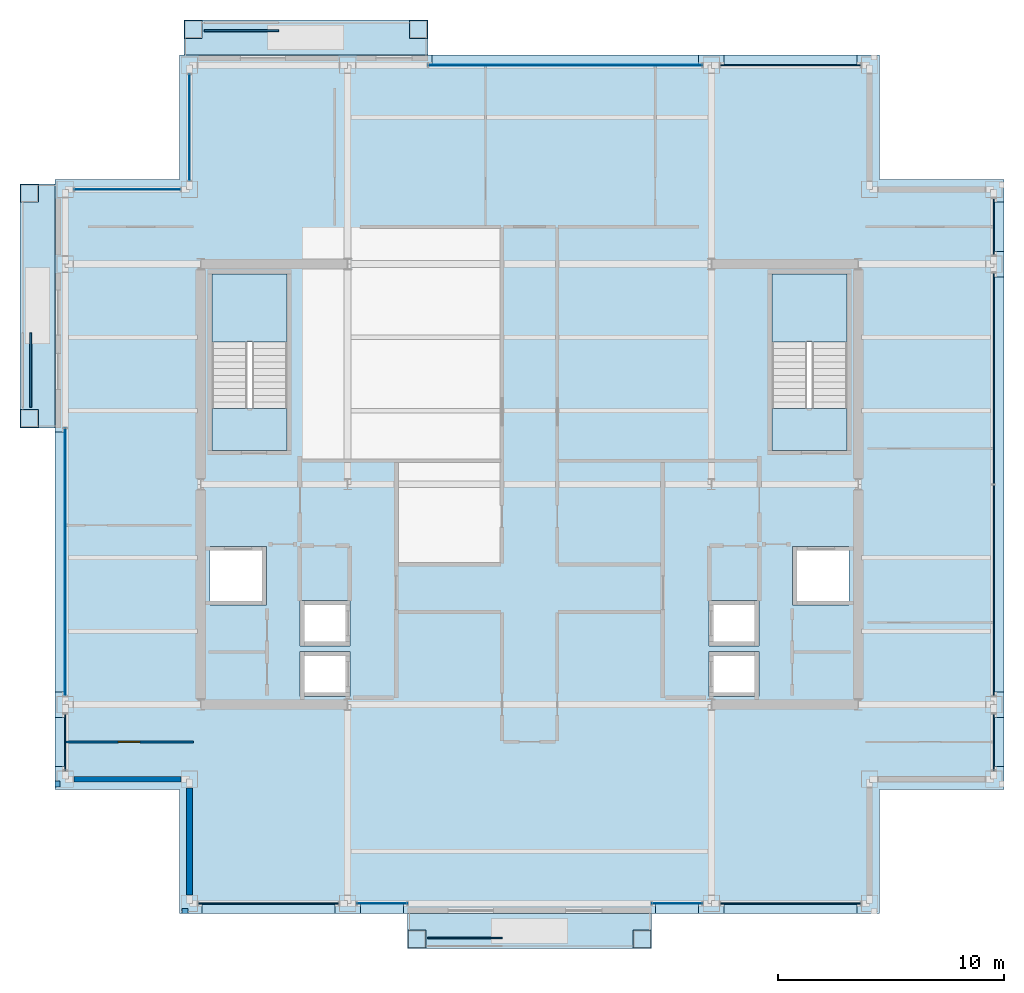
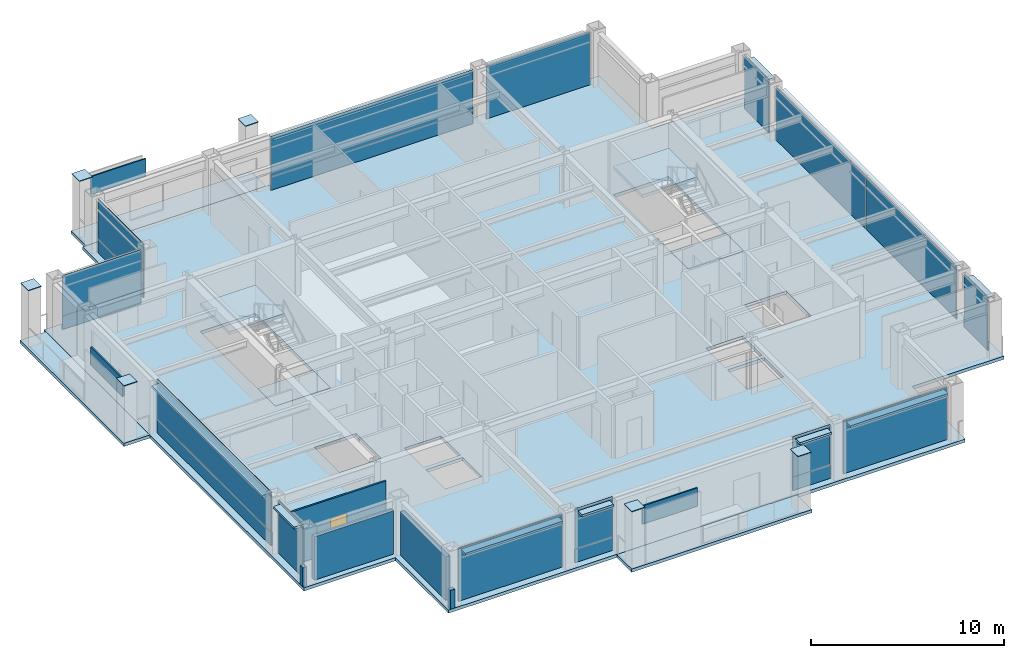
# One storey, part 22 of 28: 40 plates, 8 slabs, 5 walls, 1 door, 1 opening, 15 elements without a shape of their own.
"""IFC4 building model written with IfcOpenShell, lengths in metres."""

from ifc_helpers import new_model, si_unit, direction, frame, frame_2d, origin, origin_2d, place, context, subcontext, project, spatial, polyline, rectangle, outline, extrude, material, layer, layer_set, type_object, element, fill, aggregate, save


model = new_model("IFC4")

# Units and contexts
model_context = context("Model", 3, precision=1e-05, world=origin(), true_north=direction((0.0, 1.0)))
body_context = subcontext(model_context, "Body", "Model", "MODEL_VIEW")
ifc_project = project(units=[si_unit("LENGTHUNIT", "METRE"), si_unit("AREAUNIT", "SQUARE_METRE"), si_unit("VOLUMEUNIT", "CUBIC_METRE"), si_unit("PLANEANGLEUNIT", "RADIAN"), si_unit("MASSUNIT", "GRAM", prefix="KILO")], contexts=[model_context])

# Site, building, storey
site_placement = place(None, origin())
site = spatial("IfcSite", under=ifc_project, at=site_placement, CompositionType="ELEMENT")
building_placement = place(site_placement, origin())
building = spatial("IfcBuilding", under=site, at=building_placement, Name="Brelmoor Portico Tower", CompositionType="ELEMENT")
storey_placement = place(building_placement, frame((0.0, 0.0, 165.89990234375)))
storey = spatial("IfcBuildingStorey", under=building, at=storey_placement, Name="L43", CompositionType="ELEMENT", Elevation=165.89990234375)

# Plates
ifc_material_1 = material(Name="Steel Q355B", Category="steel")
ifc_layer_1 = layer(ifc_material_1, 0.044921875)
ifc_layer_set_1 = layer_set([ifc_layer_1], Name="Steel Q355B")
plate_type_1 = type_object("IfcPlateType", Name="PT-CAP-650", PredefinedType="SHEET", material=ifc_layer_set_1)
for number, where, z_axis, x_axis, name in (
    (1, (-4.97998046875, -20.1298828125, 3.60009765625), (0.0, 0.0, 1.0), (1.0, 0.0, 0.0), "L43 Proud Picture-Frame Pier PFJ-S1 Welded Head Cap Plate"),
    (2, (4.97998046875, -20.1298828125, 3.60009765625), (0.0, 0.0, 1.0), (1.0, 0.0, 0.0), "L43 Proud Picture-Frame Pier PFJ-S2 Welded Head Cap Plate"),
    (3, (-14.8798828125, 20.1298828125, 3.60009765625), (0.0, 0.0, 1.0), (1.0, 0.0, 0.0), "L43 Proud Picture-Frame Pier PFJ-N1 Welded Head Cap Plate"),
    (4, (-4.919921875, 20.1298828125, 3.60009765625), (0.0, 0.0, 1.0), (1.0, 0.0, 0.0), "L43 Proud Picture-Frame Pier PFJ-N2 Welded Head Cap Plate"),
    (5, (-22.1298828125, 2.919921875, 3.60009765625), (0.0, 0.0, 1.0), (0.0, 1.0, 0.0), "L43 Proud Picture-Frame Pier PFJ-W1 Welded Head Cap Plate"),
    (6, (-22.1298828125, 12.8798828125, 3.60009765625), (0.0, 0.0, 1.0), (0.0, 1.0, 0.0), "L43 Proud Picture-Frame Pier PFJ-W2 Welded Head Cap Plate"),
):
    element("IfcPlate", number, at=place(storey_placement, frame(where, z_axis=z_axis, x_axis=x_axis)), inside=storey, type_object=plate_type_1, Name=name, PredefinedType="SHEET", context=body_context, shape_type="SweptSolid", body=[
        extrude(rectangle(XDim=0.7900390625, YDim=0.7900390625, at=origin_2d()), origin(), (0.0, 0.0, 1.0), 0.0400390625),
    ])

# Curtain wall, plate
ifc_material_2 = material(Name="Anodised Aluminium Alloy 6063-T6", Category="aluminium")
ifc_layer_2 = layer(ifc_material_2, 0.179931640625)
ifc_layer_set_2 = layer_set([ifc_layer_2], Name="Anodised Aluminium Alloy 6063-T6")
curtain_wall_type_1 = type_object("IfcCurtainWallType", Name="CW-TOWER-Z3", PredefinedType="NOTDEFINED", material=ifc_layer_set_2)
curtain_wall_1_placement = place(storey_placement, origin())
curtain_wall_1 = element("IfcCurtainWall", 7, at=curtain_wall_1_placement, inside=storey, type_object=curtain_wall_type_1, Name="L43 Curtain Wall CW-L43-1L-2", PredefinedType="NOTDEFINED")
ifc_material_3 = material(Name="Double-Silver Low-E Insulated Glazing", Category="glass")
ifc_layer_3 = layer(ifc_material_3, 0.035888671875)
ifc_layer_set_3 = layer_set([ifc_layer_3], Name="Double-Silver Low-E Insulated Glazing")
plate_type_2 = type_object("IfcPlateType", Name="PT-CW-GLASS", PredefinedType="CURTAIN_PANEL", material=ifc_layer_set_3)
plate_1_placement = place(storey_placement, frame((-6.532470703125, -18.550048828125, 0.85009765625), z_axis=(0.0, 0.0, 1.0), x_axis=(1.0, 0.0, 0.0)))
plate_1 = element("IfcPlate", 8, at=plate_1_placement, type_object=plate_type_2, Name="CW-L43-1L-2 Vision Glass Panel 00", PredefinedType="CURTAIN_PANEL", context=body_context, shape_type="SweptSolid", body=[
    extrude(rectangle(XDim=2.235107421875, YDim=0.035888671875, at=origin_2d()), origin(), (0.0, 0.0, 1.0), 2.550048828125),
])

curtain_wall_2_placement = place(storey_placement, origin())
curtain_wall_2 = element("IfcCurtainWall", 9, at=curtain_wall_2_placement, inside=storey, type_object=curtain_wall_type_1, Name="L43 Curtain Wall CW-L43-1R-1", PredefinedType="NOTDEFINED")
plate_2_placement = place(storey_placement, frame((6.532470703125, -18.550048828125, 0.85009765625), z_axis=(0.0, 0.0, 1.0), x_axis=(1.0, 0.0, 0.0)))
plate_2 = element("IfcPlate", 10, at=plate_2_placement, type_object=plate_type_2, Name="CW-L43-1R-1 Vision Glass Panel 00", PredefinedType="CURTAIN_PANEL", context=body_context, shape_type="SweptSolid", body=[
    extrude(rectangle(XDim=2.235107421875, YDim=0.035888671875, at=origin_2d()), origin(), (0.0, 0.0, 1.0), 2.550048828125),
])

curtain_wall_3_placement = place(storey_placement, origin())
curtain_wall_3 = element("IfcCurtainWall", 11, at=curtain_wall_3_placement, inside=storey, type_object=curtain_wall_type_1, Name="L43 Curtain Wall CW-L43-2R-1", PredefinedType="NOTDEFINED")
plate_3_placement = place(storey_placement, frame((1.58251953125, 18.550048828125, 0.85009765625), z_axis=(0.0, 0.0, 1.0), x_axis=(1.0, 0.0, 0.0)))
plate_3 = element("IfcPlate", 12, at=plate_3_placement, type_object=plate_type_2, Name="CW-L43-2R-1 Vision Glass Panel 00", PredefinedType="CURTAIN_PANEL", context=body_context, shape_type="SweptSolid", body=[
    extrude(rectangle(XDim=12.135009765625, YDim=0.035888671875, at=origin_2d()), origin(), (0.0, 0.0, 1.0), 2.550048828125),
])

curtain_wall_4_placement = place(storey_placement, origin())
curtain_wall_4 = element("IfcCurtainWall", 13, at=curtain_wall_4_placement, inside=storey, type_object=curtain_wall_type_1, Name="L43 Curtain Wall CW-L43-3L-2", PredefinedType="NOTDEFINED")
plate_4_placement = place(storey_placement, frame((-20.550048828125, -3.4326171875, 0.85009765625), z_axis=(0.0, 0.0, 1.0), x_axis=(0.0, 1.0, 0.0)))
plate_4 = element("IfcPlate", 14, at=plate_4_placement, type_object=plate_type_2, Name="CW-L43-3L-2 Vision Glass Panel 00", PredefinedType="CURTAIN_PANEL", context=body_context, shape_type="SweptSolid", body=[
    extrude(rectangle(XDim=11.8349609375, YDim=0.035888671875, at=origin_2d()), origin(), (0.0, 0.0, 1.0), 2.550048828125),
])

ifc_layer_4 = layer(ifc_material_2, 0.179931640625)
ifc_layer_set_4 = layer_set([ifc_layer_4], Name="Anodised Aluminium Alloy 6063-T6")
curtain_wall_type_2 = type_object("IfcCurtainWallType", Name="CW-NOTCH-CHAMFER", PredefinedType="NOTDEFINED", material=ifc_layer_set_4)
curtain_wall_5_placement = place(storey_placement, origin())
curtain_wall_5 = element("IfcCurtainWall", 15, at=curtain_wall_5_placement, inside=storey, type_object=curtain_wall_type_2, Name="L43 Curtain Wall CWN-L43-NWH", PredefinedType="NOTDEFINED")
plate_5_placement = place(storey_placement, frame((-17.800048828125, 13.050048828125, 0.85009765625), z_axis=(0.0, 0.0, 1.0), x_axis=(1.0, 0.0, 0.0)))
plate_5 = element("IfcPlate", 16, at=plate_5_placement, type_object=plate_type_2, Name="CWN-L43-NWH Vision Glass Panel 00", PredefinedType="CURTAIN_PANEL", context=body_context, shape_type="SweptSolid", body=[
    extrude(rectangle(XDim=4.699951171875, YDim=0.035888671875, at=origin_2d()), origin(), (0.0, 0.0, 1.0), 2.550048828125),
])

curtain_wall_6_placement = place(storey_placement, origin())
curtain_wall_6 = element("IfcCurtainWall", 17, at=curtain_wall_6_placement, inside=storey, type_object=curtain_wall_type_2, Name="L43 Curtain Wall CWN-L43-NWV", PredefinedType="NOTDEFINED")
plate_6_placement = place(storey_placement, frame((-15.050048828125, 15.800048828125, 0.85009765625), z_axis=(0.0, 0.0, 1.0), x_axis=(0.0, 1.0, 0.0)))
plate_6 = element("IfcPlate", 18, at=plate_6_placement, type_object=plate_type_2, Name="CWN-L43-NWV Vision Glass Panel 00", PredefinedType="CURTAIN_PANEL", context=body_context, shape_type="SweptSolid", body=[
    extrude(rectangle(XDim=4.699951171875, YDim=0.035888671875, at=origin_2d()), origin(), (0.0, 0.0, 1.0), 2.550048828125),
])

ifc_layer_5 = layer(ifc_material_2, 0.179931640625)
ifc_layer_set_5 = layer_set([ifc_layer_5], Name="Anodised Aluminium Alloy 6063-T6")
curtain_wall_type_3 = type_object("IfcCurtainWallType", Name="CW-TOWER-Z3-XB", PredefinedType="NOTDEFINED", material=ifc_layer_set_5)
curtain_wall_7_placement = place(storey_placement, origin())
curtain_wall_7 = element("IfcCurtainWall", 19, at=curtain_wall_7_placement, inside=storey, type_object=curtain_wall_type_3, Name="L43 Curtain Wall CW-L43-1L-1", PredefinedType="NOTDEFINED")
ifc_material_4 = material(Name="Pale Champagne Anodised Aluminium Panel", Category="aluminium")
ifc_layer_6 = layer(ifc_material_4, 0.050048828125)
ifc_layer_set_6 = layer_set([ifc_layer_6], Name="Pale Champagne Anodised Aluminium Panel")
plate_type_3 = type_object("IfcPlateType", Name="PT-CW-SPANDREL", PredefinedType="SHEET", material=ifc_layer_set_6)
plate_7_placement = place(storey_placement, frame((-11.550048828125, -18.550048828125, 0.0), z_axis=(0.0, 0.0, 1.0), x_axis=(1.0, 0.0, 0.0)))
plate_7 = element("IfcPlate", 20, at=plate_7_placement, type_object=plate_type_3, Name="CW-L43-1L-1 Spandrel Panel 00", PredefinedType="SHEET", context=body_context, shape_type="SweptSolid", body=[
    extrude(rectangle(XDim=6.199951171875, YDim=0.050048828125, at=origin_2d()), origin(), (0.0, 0.0, 1.0), 3.33740234375),
])
aggregate(curtain_wall_7, [plate_7])

# Plate
plate_8_placement = place(storey_placement, frame((-6.532470703125, -18.550048828125, 0.0), z_axis=(0.0, 0.0, 1.0), x_axis=(1.0, 0.0, 0.0)))
plate_8 = element("IfcPlate", 21, at=plate_8_placement, type_object=plate_type_3, Name="CW-L43-1L-2 Spandrel Panel 00", PredefinedType="SHEET", context=body_context, shape_type="SweptSolid", body=[
    extrude(rectangle(XDim=2.235107421875, YDim=0.050048828125, at=origin_2d()), origin(), (0.0, 0.0, 1.0), 0.85009765625),
])

aggregate(curtain_wall_1, [plate_8, plate_1])

plate_9_placement = place(storey_placement, frame((6.532470703125, -18.550048828125, 0.0), z_axis=(0.0, 0.0, 1.0), x_axis=(1.0, 0.0, 0.0)))
plate_9 = element("IfcPlate", 22, at=plate_9_placement, type_object=plate_type_3, Name="CW-L43-1R-1 Spandrel Panel 00", PredefinedType="SHEET", context=body_context, shape_type="SweptSolid", body=[
    extrude(rectangle(XDim=2.235107421875, YDim=0.050048828125, at=origin_2d()), origin(), (0.0, 0.0, 1.0), 0.85009765625),
])

aggregate(curtain_wall_2, [plate_9, plate_2])

# Curtain wall, plate
curtain_wall_8_placement = place(storey_placement, origin())
curtain_wall_8 = element("IfcCurtainWall", 23, at=curtain_wall_8_placement, inside=storey, type_object=curtain_wall_type_3, Name="L43 Curtain Wall CW-L43-1R-2", PredefinedType="NOTDEFINED")
plate_10_placement = place(storey_placement, frame((11.550048828125, -18.550048828125, 0.0), z_axis=(0.0, 0.0, 1.0), x_axis=(1.0, 0.0, 0.0)))
plate_10 = element("IfcPlate", 24, at=plate_10_placement, type_object=plate_type_3, Name="CW-L43-1R-2 Spandrel Panel 00", PredefinedType="SHEET", context=body_context, shape_type="SweptSolid", body=[
    extrude(rectangle(XDim=6.199951171875, YDim=0.050048828125, at=origin_2d()), origin(), (0.0, 0.0, 1.0), 3.33740234375),
])
aggregate(curtain_wall_8, [plate_10])

# Plate
plate_11_placement = place(storey_placement, frame((1.58251953125, 18.550048828125, 0.0), z_axis=(0.0, 0.0, 1.0), x_axis=(1.0, 0.0, 0.0)))
plate_11 = element("IfcPlate", 25, at=plate_11_placement, type_object=plate_type_3, Name="CW-L43-2R-1 Spandrel Panel 00", PredefinedType="SHEET", context=body_context, shape_type="SweptSolid", body=[
    extrude(rectangle(XDim=12.135009765625, YDim=0.050048828125, at=origin_2d()), origin(), (0.0, 0.0, 1.0), 0.85009765625),
])

aggregate(curtain_wall_3, [plate_11, plate_3])

# Curtain wall, plate
curtain_wall_9_placement = place(storey_placement, origin())
curtain_wall_9 = element("IfcCurtainWall", 26, at=curtain_wall_9_placement, inside=storey, type_object=curtain_wall_type_3, Name="L43 Curtain Wall CW-L43-2R-2", PredefinedType="NOTDEFINED")
plate_12_placement = place(storey_placement, frame((11.550048828125, 18.550048828125, 0.0), z_axis=(0.0, 0.0, 1.0), x_axis=(1.0, 0.0, 0.0)))
plate_12 = element("IfcPlate", 27, at=plate_12_placement, type_object=plate_type_3, Name="CW-L43-2R-2 Spandrel Panel 00", PredefinedType="SHEET", context=body_context, shape_type="SweptSolid", body=[
    extrude(rectangle(XDim=6.199951171875, YDim=0.050048828125, at=origin_2d()), origin(), (0.0, 0.0, 1.0), 3.33740234375),
])
aggregate(curtain_wall_9, [plate_12])

curtain_wall_10_placement = place(storey_placement, origin())
curtain_wall_10 = element("IfcCurtainWall", 28, at=curtain_wall_10_placement, inside=storey, type_object=curtain_wall_type_3, Name="L43 Curtain Wall CW-L43-3L-1", PredefinedType="NOTDEFINED")
plate_13_placement = place(storey_placement, frame((-20.550048828125, -11.39990234375, 0.0), z_axis=(0.0, 0.0, 1.0), x_axis=(0.0, 1.0, 0.0)))
plate_13 = element("IfcPlate", 29, at=plate_13_placement, type_object=plate_type_3, Name="CW-L43-3L-1 Spandrel Panel 00", PredefinedType="SHEET", context=body_context, shape_type="SweptSolid", body=[
    extrude(rectangle(XDim=2.5, YDim=0.050048828125, at=origin_2d()), origin(), (0.0, 0.0, 1.0), 3.33740234375),
])
aggregate(curtain_wall_10, [plate_13])

# Plate
plate_14_placement = place(storey_placement, frame((-20.550048828125, -3.4326171875, 0.0), z_axis=(0.0, 0.0, 1.0), x_axis=(0.0, 1.0, 0.0)))
plate_14 = element("IfcPlate", 30, at=plate_14_placement, type_object=plate_type_3, Name="CW-L43-3L-2 Spandrel Panel 00", PredefinedType="SHEET", context=body_context, shape_type="SweptSolid", body=[
    extrude(rectangle(XDim=11.8349609375, YDim=0.050048828125, at=origin_2d()), origin(), (0.0, 0.0, 1.0), 0.85009765625),
])

aggregate(curtain_wall_4, [plate_14, plate_4])

# Curtain wall, plate
curtain_wall_11_placement = place(storey_placement, origin())
curtain_wall_11 = element("IfcCurtainWall", 31, at=curtain_wall_11_placement, inside=storey, type_object=curtain_wall_type_3, Name="L43 Curtain Wall CW-L43-04-1", PredefinedType="NOTDEFINED")
plate_15_placement = place(storey_placement, frame((20.550048828125, -11.39990234375, 0.0), z_axis=(0.0, 0.0, 1.0), x_axis=(0.0, 1.0, 0.0)))
plate_15 = element("IfcPlate", 32, at=plate_15_placement, type_object=plate_type_3, Name="CW-L43-04-1 Spandrel Panel 00", PredefinedType="SHEET", context=body_context, shape_type="SweptSolid", body=[
    extrude(rectangle(XDim=2.5, YDim=0.050048828125, at=origin_2d()), origin(), (0.0, 0.0, 1.0), 3.33740234375),
])
aggregate(curtain_wall_11, [plate_15])

# Curtain wall, plates
curtain_wall_12_placement = place(storey_placement, origin())
curtain_wall_12 = element("IfcCurtainWall", 33, at=curtain_wall_12_placement, inside=storey, type_object=curtain_wall_type_3, Name="L43 Curtain Wall CW-L43-04-2", PredefinedType="NOTDEFINED")
plate_16_placement = place(storey_placement, frame((20.550048828125, -4.6826171875, 0.0), z_axis=(0.0, 0.0, 1.0), x_axis=(0.0, 1.0, 0.0)))
plate_16 = element("IfcPlate", 34, at=plate_16_placement, type_object=plate_type_3, Name="CW-L43-04-2 Spandrel Panel 00", PredefinedType="SHEET", context=body_context, shape_type="SweptSolid", body=[
    extrude(rectangle(XDim=9.3349609375, YDim=0.050048828125, at=origin_2d()), origin(), (0.0, 0.0, 1.0), 3.33740234375),
])
plate_17_placement = place(storey_placement, frame((20.550048828125, 4.6826171875, 0.0), z_axis=(0.0, 0.0, 1.0), x_axis=(0.0, 1.0, 0.0)))
plate_17 = element("IfcPlate", 35, at=plate_17_placement, type_object=plate_type_3, Name="CW-L43-04-2 Spandrel Panel 01", PredefinedType="SHEET", context=body_context, shape_type="SweptSolid", body=[
    extrude(rectangle(XDim=9.3349609375, YDim=0.050048828125, at=origin_2d()), origin(), (0.0, 0.0, 1.0), 3.33740234375),
])
aggregate(curtain_wall_12, [plate_16, plate_17])

# Curtain wall, plate
curtain_wall_13_placement = place(storey_placement, origin())
curtain_wall_13 = element("IfcCurtainWall", 36, at=curtain_wall_13_placement, inside=storey, type_object=curtain_wall_type_3, Name="L43 Curtain Wall CW-L43-04-3", PredefinedType="NOTDEFINED")
plate_18_placement = place(storey_placement, frame((20.550048828125, 11.39990234375, 0.0), z_axis=(0.0, 0.0, 1.0), x_axis=(0.0, 1.0, 0.0)))
plate_18 = element("IfcPlate", 37, at=plate_18_placement, type_object=plate_type_3, Name="CW-L43-04-3 Spandrel Panel 00", PredefinedType="SHEET", context=body_context, shape_type="SweptSolid", body=[
    extrude(rectangle(XDim=2.5, YDim=0.050048828125, at=origin_2d()), origin(), (0.0, 0.0, 1.0), 3.33740234375),
])
aggregate(curtain_wall_13, [plate_18])

# Plate
plate_19_placement = place(storey_placement, frame((-17.800048828125, 13.050048828125, 0.0), z_axis=(0.0, 0.0, 1.0), x_axis=(1.0, 0.0, 0.0)))
plate_19 = element("IfcPlate", 38, at=plate_19_placement, type_object=plate_type_3, Name="CWN-L43-NWH Spandrel Panel 00", PredefinedType="SHEET", context=body_context, shape_type="SweptSolid", body=[
    extrude(rectangle(XDim=4.699951171875, YDim=0.050048828125, at=origin_2d()), origin(), (0.0, 0.0, 1.0), 0.85009765625),
])

aggregate(curtain_wall_5, [plate_19, plate_5])

plate_20_placement = place(storey_placement, frame((-15.050048828125, 15.800048828125, 0.0), z_axis=(0.0, 0.0, 1.0), x_axis=(0.0, 1.0, 0.0)))
plate_20 = element("IfcPlate", 39, at=plate_20_placement, type_object=plate_type_3, Name="CWN-L43-NWV Spandrel Panel 00", PredefinedType="SHEET", context=body_context, shape_type="SweptSolid", body=[
    extrude(rectangle(XDim=4.699951171875, YDim=0.050048828125, at=origin_2d()), origin(), (0.0, 0.0, 1.0), 0.85009765625),
])

aggregate(curtain_wall_6, [plate_20, plate_6])

# Plates
ifc_material_5 = material(Name="Powder-Coated Aluminium Shuttered Jalousie Louvre", Category="aluminium")
ifc_layer_7 = layer(ifc_material_5, 0.06005859375)
ifc_layer_set_7 = layer_set([ifc_layer_7], Name="Powder-Coated Aluminium Shuttered Jalousie Louvre")
plate_type_4 = type_object("IfcPlateType", Name="PT-JALOUSIE-SHUTTER", PredefinedType="SHEET", material=ifc_layer_set_7)
for number, where, z_axis, x_axis, name in (
    (40, (-2.85009765625, -20.080078125, 2.275146484375), (0.0, 0.0, 1.0), (1.0, 0.0, 0.0), "L43 Shuttered Veranda Screen S"),
    (41, (-12.75, 20.080078125, 2.275146484375), (0.0, 0.0, 1.0), (1.0, 0.0, 0.0), "L43 Shuttered Veranda Screen N"),
    (42, (-22.080078125, 5.050048828125, 2.275146484375), (0.0, 0.0, 1.0), (0.0, 1.0, 0.0), "L43 Shuttered Veranda Screen W"),
):
    element("IfcPlate", number, at=place(storey_placement, frame(where, z_axis=z_axis, x_axis=x_axis)), inside=storey, type_object=plate_type_4, Name=name, PredefinedType="SHEET", context=body_context, shape_type="SweptSolid", body=[
        extrude(rectangle(XDim=3.300048828125, YDim=0.080078125, at=origin_2d()), origin(), (0.0, 0.0, 1.0), 1.14990234375),
    ])
ifc_material_6 = material(Name="Pale Champagne Perforated Aluminium Solar Screen", Category="aluminium")
ifc_layer_8 = layer(ifc_material_6, 0.054931640625)
ifc_layer_set_8 = layer_set([ifc_layer_8], Name="Pale Champagne Perforated Aluminium Solar Screen")
plate_type_5 = type_object("IfcPlateType", Name="PT-SOLAR-LOUVRE", PredefinedType="SHEET", material=ifc_layer_set_8)
plate_21_placement = place(storey_placement, frame((-11.550048828125, -18.760009765625, 3.09033203125), z_axis=(0.0, 0.0, 1.0), x_axis=(1.0, 0.0, 0.0)))
element("IfcPlate", 43, at=plate_21_placement, inside=storey, type_object=plate_type_5, Name="CW-L43-1L-1 Caribbean Brise-Soleil Solar Screen", PredefinedType="SHEET", context=body_context, shape_type="SweptSolid", body=[
    extrude(rectangle(XDim=5.8701171875, YDim=0.4599609375, at=origin_2d()), origin(), (0.0, 0.0, 1.0), 0.139892578125),
])
for number, where, z_axis, x_axis, name in (
    (44, (-6.532470703125, -18.760009765625, 3.09033203125), (0.0, 0.0, 1.0), (1.0, 0.0, 0.0), "CW-L43-1L-2 Caribbean Brise-Soleil Solar Screen"),
    (45, (6.532470703125, -18.760009765625, 3.09033203125), (0.0, 0.0, 1.0), (1.0, 0.0, 0.0), "CW-L43-1R-1 Caribbean Brise-Soleil Solar Screen"),
):
    element("IfcPlate", number, at=place(storey_placement, frame(where, z_axis=z_axis, x_axis=x_axis)), inside=storey, type_object=plate_type_5, Name=name, PredefinedType="SHEET", context=body_context, shape_type="SweptSolid", body=[
        extrude(rectangle(XDim=1.905029296875, YDim=0.4599609375, at=origin_2d()), origin(), (0.0, 0.0, 1.0), 0.139892578125),
    ])
plate_22_placement = place(storey_placement, frame((11.550048828125, -18.760009765625, 3.09033203125), z_axis=(0.0, 0.0, 1.0), x_axis=(1.0, 0.0, 0.0)))
element("IfcPlate", 46, at=plate_22_placement, inside=storey, type_object=plate_type_5, Name="CW-L43-1R-2 Caribbean Brise-Soleil Solar Screen", PredefinedType="SHEET", context=body_context, shape_type="SweptSolid", body=[
    extrude(rectangle(XDim=5.8701171875, YDim=0.4599609375, at=origin_2d()), origin(), (0.0, 0.0, 1.0), 0.139892578125),
])
plate_23_placement = place(storey_placement, frame((1.58251953125, 18.760009765625, 3.09033203125), z_axis=(0.0, 0.0, 1.0), x_axis=(1.0, 0.0, 0.0)))
element("IfcPlate", 47, at=plate_23_placement, inside=storey, type_object=plate_type_5, Name="CW-L43-2R-1 Caribbean Brise-Soleil Solar Screen", PredefinedType="SHEET", context=body_context, shape_type="SweptSolid", body=[
    extrude(rectangle(XDim=11.804931640625, YDim=0.4599609375, at=origin_2d()), origin(), (0.0, 0.0, 1.0), 0.139892578125),
])
plate_24_placement = place(storey_placement, frame((11.550048828125, 18.760009765625, 3.09033203125), z_axis=(0.0, 0.0, 1.0), x_axis=(1.0, 0.0, 0.0)))
element("IfcPlate", 48, at=plate_24_placement, inside=storey, type_object=plate_type_5, Name="CW-L43-2R-2 Caribbean Brise-Soleil Solar Screen", PredefinedType="SHEET", context=body_context, shape_type="SweptSolid", body=[
    extrude(rectangle(XDim=5.8701171875, YDim=0.4599609375, at=origin_2d()), origin(), (0.0, 0.0, 1.0), 0.139892578125),
])
plate_25_placement = place(storey_placement, frame((-20.760009765625, -11.39990234375, 3.09033203125), z_axis=(0.0, 0.0, 1.0), x_axis=(0.0, 1.0, 0.0)))
element("IfcPlate", 49, at=plate_25_placement, inside=storey, type_object=plate_type_5, Name="CW-L43-3L-1 Caribbean Brise-Soleil Solar Screen", PredefinedType="SHEET", context=body_context, shape_type="SweptSolid", body=[
    extrude(rectangle(XDim=2.169921875, YDim=0.4599609375, at=origin_2d()), origin(), (0.0, 0.0, 1.0), 0.139892578125),
])
plate_26_placement = place(storey_placement, frame((-20.760009765625, -3.4326171875, 3.09033203125), z_axis=(0.0, 0.0, 1.0), x_axis=(0.0, 1.0, 0.0)))
element("IfcPlate", 50, at=plate_26_placement, inside=storey, type_object=plate_type_5, Name="CW-L43-3L-2 Caribbean Brise-Soleil Solar Screen", PredefinedType="SHEET", context=body_context, shape_type="SweptSolid", body=[
    extrude(rectangle(XDim=11.5048828125, YDim=0.4599609375, at=origin_2d()), origin(), (0.0, 0.0, 1.0), 0.139892578125),
])
plate_27_placement = place(storey_placement, frame((20.760009765625, -11.39990234375, 3.09033203125), z_axis=(0.0, 0.0, 1.0), x_axis=(0.0, 1.0, 0.0)))
element("IfcPlate", 51, at=plate_27_placement, inside=storey, type_object=plate_type_5, Name="CW-L43-04-1 Caribbean Brise-Soleil Solar Screen", PredefinedType="SHEET", context=body_context, shape_type="SweptSolid", body=[
    extrude(rectangle(XDim=2.169921875, YDim=0.4599609375, at=origin_2d()), origin(), (0.0, 0.0, 1.0), 0.139892578125),
])
plate_28_placement = place(storey_placement, frame((20.760009765625, 0.0, 3.09033203125), z_axis=(0.0, 0.0, 1.0), x_axis=(0.0, 1.0, 0.0)))
element("IfcPlate", 52, at=plate_28_placement, inside=storey, type_object=plate_type_5, Name="CW-L43-04-2 Caribbean Brise-Soleil Solar Screen", PredefinedType="SHEET", context=body_context, shape_type="SweptSolid", body=[
    extrude(rectangle(XDim=18.3701171875, YDim=0.4599609375, at=origin_2d()), origin(), (0.0, 0.0, 1.0), 0.139892578125),
])
plate_29_placement = place(storey_placement, frame((20.760009765625, 11.39990234375, 3.09033203125), z_axis=(0.0, 0.0, 1.0), x_axis=(0.0, 1.0, 0.0)))
element("IfcPlate", 53, at=plate_29_placement, inside=storey, type_object=plate_type_5, Name="CW-L43-04-3 Caribbean Brise-Soleil Solar Screen", PredefinedType="SHEET", context=body_context, shape_type="SweptSolid", body=[
    extrude(rectangle(XDim=2.169921875, YDim=0.4599609375, at=origin_2d()), origin(), (0.0, 0.0, 1.0), 0.139892578125),
])

# Slabs
ifc_material_7 = material(Name="Concrete C40", Category="concrete")
ifc_layer_9 = layer(ifc_material_7, 0.199951171875)
ifc_layer_set_9 = layer_set([ifc_layer_9], Name="Concrete C40")
slab_type_1 = type_object("IfcSlabType", Name="SL-BALCONY-200", PredefinedType="FLOOR", material=ifc_layer_set_9)
slab_1_placement = place(storey_placement, frame((0.0, 0.0, -0.199951171875)))
element("IfcSlab", 54, at=slab_1_placement, inside=storey, type_object=slab_type_1, Name="L43 Loggia Tree Balcony Slab S", PredefinedType="FLOOR", context=body_context, shape_type="SweptSolid", body=[
    extrude(outline(polyline([(-5.39990234375, -20.550048828125), (5.39990234375, -20.550048828125), (5.39990234375, -19.0), (-5.39990234375, -19.0), (-5.39990234375, -20.550048828125)])), origin(), (0.0, 0.0, 1.0), 0.199951171875),
])
slab_2_placement = place(storey_placement, frame((0.0, 0.0, -0.199951171875)))
element("IfcSlab", 55, at=slab_2_placement, inside=storey, type_object=slab_type_1, Name="L43 Loggia Tree Balcony Slab N", PredefinedType="FLOOR", context=body_context, shape_type="SweptSolid", body=[
    extrude(outline(polyline([(-15.300048828125, 19.0), (-4.5, 19.0), (-4.5, 20.550048828125), (-15.300048828125, 20.550048828125), (-15.300048828125, 19.0)])), origin(), (0.0, 0.0, 1.0), 0.199951171875),
])
slab_3_placement = place(storey_placement, frame((0.0, 0.0, -0.199951171875)))
element("IfcSlab", 56, at=slab_3_placement, inside=storey, type_object=slab_type_1, Name="L43 Loggia Tree Balcony Slab W", PredefinedType="FLOOR", context=body_context, shape_type="SweptSolid", body=[
    extrude(outline(polyline([(-22.550048828125, 2.5), (-21.0, 2.5), (-21.0, 13.300048828125), (-22.550048828125, 13.300048828125), (-22.550048828125, 2.5)])), origin(), (0.0, 0.0, 1.0), 0.199951171875),
])
ifc_layer_10 = layer(ifc_material_7, 0.199951171875)
ifc_layer_set_10 = layer_set([ifc_layer_10], Name="Concrete C40")
slab_type_2 = type_object("IfcSlabType", Name="SL-FLOOR-200", PredefinedType="FLOOR", material=ifc_layer_set_10)
slab_4_placement = place(storey_placement, frame((0.0, 0.0, -0.199951171875)))
element("IfcSlab", 57, at=slab_4_placement, inside=storey, type_object=slab_type_2, Name="L43 Main Structural Floor Slab", PredefinedType="FLOOR", context=body_context, shape_type="SweptSolid", body=[
    extrude(outline(polyline([(-15.5, -19.0), (15.5, -19.0), (15.5, -13.5), (21.0, -13.5), (21.0, 13.5), (15.5, 13.5), (15.5, 19.0), (-15.5, 19.0), (-15.5, 13.5), (-21.0, 13.5), (-21.0, -13.5), (-15.5, -13.5), (-15.5, -19.0)]), holes=[polyline([(-10.72998046875, 1.5), (-10.72998046875, 9.300048828125), (-14.050048828125, 9.300048828125), (-14.050048828125, 1.5), (-10.72998046875, 1.5)]), polyline([(14.050048828125, 1.5), (14.050048828125, 9.300048828125), (10.72998046875, 9.300048828125), (10.72998046875, 1.5), (14.050048828125, 1.5)]), polyline([(-10.14990234375, -9.39990234375), (-7.949951171875, -9.39990234375), (-7.949951171875, -7.39990234375), (-10.14990234375, -7.39990234375), (-10.14990234375, -9.39990234375)]), polyline([(-10.14990234375, -7.14990234375), (-7.949951171875, -7.14990234375), (-7.949951171875, -5.14990234375), (-10.14990234375, -5.14990234375), (-10.14990234375, -7.14990234375)]), polyline([(7.949951171875, -9.39990234375), (10.14990234375, -9.39990234375), (10.14990234375, -7.39990234375), (7.949951171875, -7.39990234375), (7.949951171875, -9.39990234375)]), polyline([(7.949951171875, -7.14990234375), (10.14990234375, -7.14990234375), (10.14990234375, -5.14990234375), (7.949951171875, -5.14990234375), (7.949951171875, -7.14990234375)]), polyline([(-14.14990234375, -5.35009765625), (-11.64990234375, -5.35009765625), (-11.64990234375, -2.75), (-14.14990234375, -2.75), (-14.14990234375, -5.35009765625)]), polyline([(11.64990234375, -5.35009765625), (14.14990234375, -5.35009765625), (14.14990234375, -2.75), (11.64990234375, -2.75), (11.64990234375, -5.35009765625)])]), origin(), (0.0, 0.0, 1.0), 0.199951171875),
])

# Stair, slab
stair_type_1 = type_object("IfcStairType", Name="ST-CORE-W", PredefinedType="HALF_TURN_STAIR", material=ifc_material_7)
stair_1_placement = place(storey_placement, origin())
stair_1 = element("IfcStair", 58, at=stair_1_placement, inside=storey, type_object=stair_type_1, Name="L43 Protected Core Exit Stair ST-W", PredefinedType="HALF_TURN_STAIR")
ifc_layer_11 = layer(ifc_material_7, 0.179931640625)
ifc_layer_set_11 = layer_set([ifc_layer_11], Name="Concrete C40")
slab_type_3 = type_object("IfcSlabType", Name="SL-LANDING-180", PredefinedType="LANDING", material=ifc_layer_set_11)
slab_5_placement = place(storey_placement, frame((0.0, 0.0, 1.60009765625)))
slab_5 = element("IfcSlab", 59, at=slab_5_placement, type_object=slab_type_3, Name="ST-W landing 1", PredefinedType="LANDING", context=body_context, shape_type="SweptSolid", body=[
    extrude(outline(polyline([(-10.72998046875, 6.300048828125), (-10.72998046875, 9.300048828125), (-14.050048828125, 9.300048828125), (-14.050048828125, 6.300048828125), (-10.72998046875, 6.300048828125)])), origin(), (0.0, 0.0, 1.0), 0.199951171875),
])
aggregate(stair_1, [slab_5])

stair_type_2 = type_object("IfcStairType", Name="ST-CORE-E", PredefinedType="HALF_TURN_STAIR", material=ifc_material_7)
stair_2_placement = place(storey_placement, origin())
stair_2 = element("IfcStair", 60, at=stair_2_placement, inside=storey, type_object=stair_type_2, Name="L43 Protected Core Exit Stair ST-E", PredefinedType="HALF_TURN_STAIR")
slab_6_placement = place(storey_placement, frame((0.0, 0.0, 1.60009765625)))
slab_6 = element("IfcSlab", 61, at=slab_6_placement, type_object=slab_type_3, Name="ST-E landing 1", PredefinedType="LANDING", context=body_context, shape_type="SweptSolid", body=[
    extrude(outline(polyline([(14.050048828125, 6.300048828125), (14.050048828125, 9.300048828125), (10.72998046875, 9.300048828125), (10.72998046875, 6.300048828125), (14.050048828125, 6.300048828125)])), origin(), (0.0, 0.0, 1.0), 0.199951171875),
])
aggregate(stair_2, [slab_6])

# Slabs
ifc_layer_12 = layer(ifc_material_7, 0.199951171875)
ifc_layer_set_12 = layer_set([ifc_layer_12], Name="Concrete C40")
slab_type_4 = type_object("IfcSlabType", Name="SL-STAIR-FL200", PredefinedType="LANDING", material=ifc_layer_set_12)
slab_7_placement = place(storey_placement, frame((0.0, 0.0, -0.199951171875)))
element("IfcSlab", 62, at=slab_7_placement, inside=storey, type_object=slab_type_4, Name="L43 ST-W Structural Floor Landing Slab", PredefinedType="LANDING", context=body_context, shape_type="SweptSolid", body=[
    extrude(outline(polyline([(-10.72998046875, 1.5), (-10.72998046875, 3.35009765625), (-14.050048828125, 3.35009765625), (-14.050048828125, 1.5), (-10.72998046875, 1.5)])), origin(), (0.0, 0.0, 1.0), 0.199951171875),
])
slab_8_placement = place(storey_placement, frame((0.0, 0.0, -0.199951171875)))
element("IfcSlab", 63, at=slab_8_placement, inside=storey, type_object=slab_type_4, Name="L43 ST-E Structural Floor Landing Slab", PredefinedType="LANDING", context=body_context, shape_type="SweptSolid", body=[
    extrude(outline(polyline([(14.050048828125, 1.5), (14.050048828125, 3.35009765625), (10.72998046875, 3.35009765625), (10.72998046875, 1.5), (14.050048828125, 1.5)])), origin(), (0.0, 0.0, 1.0), 0.199951171875),
])

# Walls
ifc_material_8 = material(Name="Precast Concrete C40 Insulated Facade Wall", Category="concrete")
ifc_layer_13 = layer(ifc_material_8, 0.25)
ifc_layer_set_13 = layer_set([ifc_layer_13], Name="Precast Concrete C40 Insulated Facade Wall")
wall_type_1 = type_object("IfcWallType", Name="WL-EXT-250", PredefinedType="STANDARD", material=ifc_layer_set_13)
for number, where, z_axis, x_axis, name in (
    (64, (-20.1650390625, -13.050048828125, 0.0), (0.0, 0.0, 1.0), (1.0, 0.0, 0.0), "L43 Corner Notch Facade Wall NSWH1"),
    (65, (-15.050048828125, -18.1650390625, 0.0), (0.0, 0.0, 1.0), (0.0, 1.0, 0.0), "L43 Corner Notch Facade Wall NSWV1"),
):
    element("IfcWall", number, at=place(storey_placement, frame(where, z_axis=z_axis, x_axis=x_axis)), inside=storey, type_object=wall_type_1, Name=name, PredefinedType="STANDARD", context=body_context, shape_type="SweptSolid", body=[
        extrude(rectangle(XDim=4.72998046875, YDim=0.25, at=frame_2d((2.364990234375, 0.0))), origin(), (0.0, 0.0, 1.0), 2.75),
    ])
ifc_material_9 = material(Name="Concrete C40 Parapet Upstand", Category="concrete")
ifc_layer_14 = layer(ifc_material_9, 0.219970703125)
ifc_layer_set_14 = layer_set([ifc_layer_14], Name="Concrete C40 Parapet Upstand")
wall_type_2 = type_object("IfcWallType", Name="WL-PARAPET-220", PredefinedType="PARAPET", material=ifc_layer_set_14)
for number, where, z_axis, x_axis, name in (
    (66, (-15.389892578125, -18.889892578125, 0.0), (0.0, 0.0, 1.0), (1.0, 0.0, 0.0), "L43 Chamfer Vertex Parapet Pier SW1"),
    (67, (-20.889892578125, -13.389892578125, 0.0), (0.0, 0.0, 1.0), (0.0, 1.0, 0.0), "L43 Chamfer Vertex Parapet Pier SW2"),
):
    element("IfcWall", number, at=place(storey_placement, frame(where, z_axis=z_axis, x_axis=x_axis)), inside=storey, type_object=wall_type_2, Name=name, PredefinedType="PARAPET", context=body_context, shape_type="SweptSolid", body=[
        extrude(rectangle(XDim=0.269775390625, YDim=0.219970703125, at=frame_2d((0.134765625, 0.0))), origin(), (0.0, 0.0, 1.0), 1.2001953125),
    ])

# Wall, opening, door
ifc_material_10 = material(Name="Demountable Glazed Office Partition", Category="aluminium")
ifc_layer_15 = layer(ifc_material_10, 0.10009765625)
ifc_layer_set_15 = layer_set([ifc_layer_15], Name="Demountable Glazed Office Partition")
wall_type_3 = type_object("IfcWallType", Name="WL-PART-100", PredefinedType="PARTITIONING", material=ifc_layer_set_15)
wall_placement = place(storey_placement, frame((-20.56005859375, -11.39990234375, 0.0), z_axis=(0.0, 0.0, 1.0), x_axis=(1.0, 0.0, 0.0)))
wall = element("IfcWall", 68, at=wall_placement, inside=storey, type_object=wall_type_3, Name="L43 South Wing Closure WL", PredefinedType="PARTITIONING", context=body_context, shape_type="SweptSolid", body=[
    extrude(rectangle(XDim=5.68017578125, YDim=0.10009765625, at=frame_2d((2.840087890625, 0.0))), origin(), (0.0, 0.0, 1.0), 3.400146484375),
])
opening_placement = place(wall_placement, frame((2.360107421875, 0.0, 0.0)))
opening = element("IfcOpeningElement", 69, at=opening_placement, cuts=wall, Name="Opening D-IN2", PredefinedType="OPENING", context=body_context, shape_type="SweptSolid", body=[
    extrude(rectangle(XDim=0.9599609375, YDim=2.179931640625, at=frame_2d((0.47998046875, 1.08984375))), frame((0.0, 0.06005859375, 0.0), z_axis=(0.0, -1.0, 0.0), x_axis=(1.0, 0.0, 0.0)), (0.0, 0.0, 1.0), 0.1201171875),
])
ifc_material_11 = material(Name="Lacquered Timber Suite Door", Category="wood")
door_type = type_object("IfcDoorType", Name="DR-INT-950", OperationType="NOTDEFINED", PredefinedType="DOOR", material=ifc_material_11)
door_placement = place(opening_placement, origin())
door = element("IfcDoor", 70, at=door_placement, inside=storey, type_object=door_type, Name="D-1849 L43 WL Wing South Suite Door", OperationType="SINGLE_SWING_LEFT", OverallHeight=2.179931640625, OverallWidth=0.9599609375, PredefinedType="DOOR", context=body_context, shape_type="SweptSolid", body=[
    extrude(rectangle(XDim=0.9599609375, YDim=2.179931640625, at=frame_2d((0.47998046875, 1.08984375))), frame((0.0, 0.02490234375, 0.0), z_axis=(0.0, -1.0, 0.0), x_axis=(1.0, 0.0, 0.0)), (0.0, 0.0, 1.0), 0.050048828125),
])
fill(opening, door)

save(model, "model.ifc")
